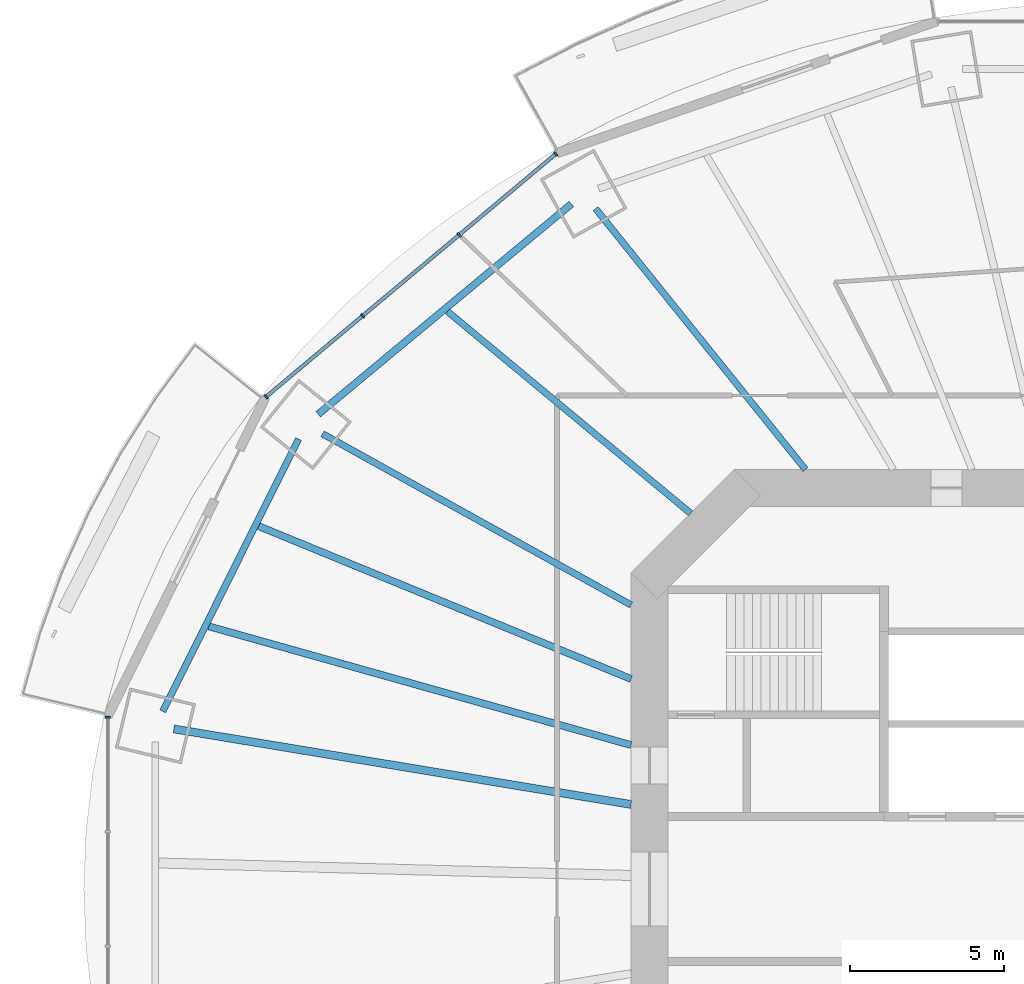
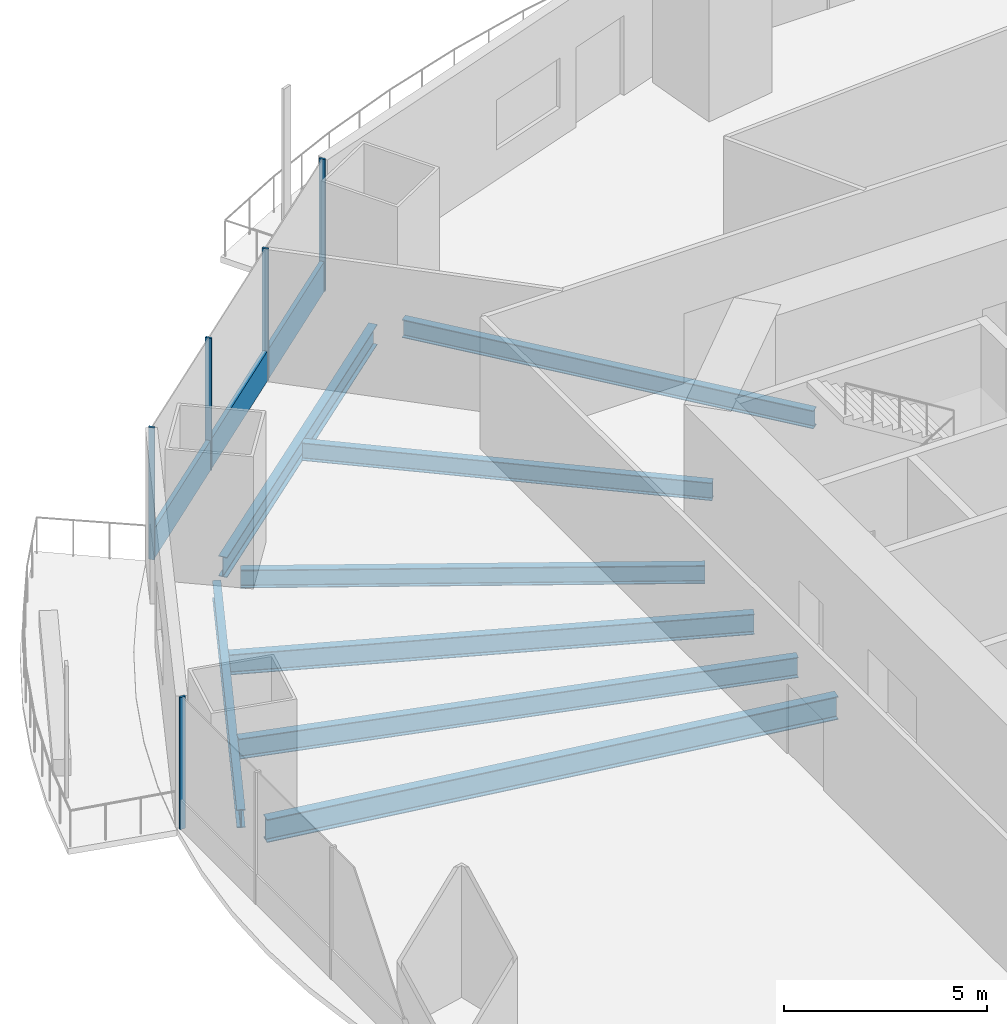
# One storey, part 6 of 22: 8 beams, 6 members, 2 elements without a shape of their own.
"""IFC4 building model written with IfcOpenShell, lengths in metres."""

import ifcopenshell
import ifcopenshell.guid

model = None  # the IFC model being written
_history = None  # IfcOwnerHistory: only IFC2X3 demands one
_inside = {}  # id of a spatial element -> (the spatial element, [elements in it])
_under = {}  # id of a project, library or spatial element -> (it, [spatial elements below it])
_declared = {}  # id of a project -> (the project, [libraries it declares])
_typed = {}  # id of a type object -> (the type object, [elements of that type])
_made_of = {}  # id of a material, layer set ... -> (it, [elements and type objects made of it])


def new_model(schema):
    """Start an empty IFC model of exactly this schema.

    Asked for "IFC4X3", IfcOpenShell would pick the latest addendum, in which some entities
    have other attributes; the version numbers below select the first issue.
    IFC2X3 requires an IfcOwnerHistory on every rooted entity: one is made here for all.
    """
    global model, _history
    if schema == "IFC4X3":
        model = ifcopenshell.file(schema_version=(4, 3, 0, 0))
    else:
        model = ifcopenshell.file(schema=schema)
    _inside.clear()
    _under.clear()
    _declared.clear()
    _typed.clear()
    _made_of.clear()
    _history = None
    if model.schema == "IFC2X3":
        org = make("IfcOrganization", Name="unknown")
        user = make(
            "IfcPersonAndOrganization",
            ThePerson=make("IfcPerson", FamilyName="unknown"),
            TheOrganization=org,
        )
        app = make(
            "IfcApplication",
            ApplicationDeveloper=org,
            Version="unknown",
            ApplicationFullName="unknown",
            ApplicationIdentifier="unknown",
        )
        _history = make(
            "IfcOwnerHistory",
            OwningUser=user,
            OwningApplication=app,
            ChangeAction="ADDED",
            CreationDate=0,
        )
    return model


def make(cls, **values):
    """One entity of the class cls with the attributes given. An attribute that is None is left unset."""
    return model.create_entity(
        cls, **{name: value for name, value in values.items() if value is not None}
    )


def rooted(cls, **values):
    """An entity with a GlobalId (a new one), such as an element, a storey or a relation."""
    return make(cls, GlobalId=ifcopenshell.guid.new(), OwnerHistory=_history, **values)


def si_unit(unit_type, name, prefix=None):
    """IfcSIUnit, for example si_unit("LENGTHUNIT", "METRE", prefix="MILLI")."""
    return make("IfcSIUnit", UnitType=unit_type, Prefix=prefix, Name=name)


def assignment(units):
    """IfcUnitAssignment: the units of a project."""
    return None if units is None else make("IfcUnitAssignment", Units=units)


def point(xyz):
    """IfcCartesianPoint."""
    return None if xyz is None else make("IfcCartesianPoint", Coordinates=xyz)


def direction(xyz):
    """IfcDirection."""
    return None if xyz is None else make("IfcDirection", DirectionRatios=xyz)


def frame(location, z_axis=None, x_axis=None):
    """IfcAxis2Placement3D, a coordinate frame: its origin and axes. An axis left out is left unset."""
    return make(
        "IfcAxis2Placement3D",
        Location=point(location),
        Axis=direction(z_axis),
        RefDirection=direction(x_axis),
    )


def frame_2d(location, x_axis=None):
    """IfcAxis2Placement2D, a coordinate frame in the plane: its origin and x axis."""
    return make(
        "IfcAxis2Placement2D", Location=point(location), RefDirection=direction(x_axis)
    )


def origin():
    """The frame at (0, 0, 0) with its axes left unset."""
    return frame((0.0, 0.0, 0.0))


def origin_2d():
    """The frame at (0, 0) in the plane with its x axis left unset."""
    return frame_2d((0.0, 0.0))


def place(relative_to, where):
    """IfcLocalPlacement: puts the frame where relative to a parent placement (None: the world)."""
    return make(
        "IfcLocalPlacement", PlacementRelTo=relative_to, RelativePlacement=where
    )


def context(
    kind, dimensions, precision=None, world=None, true_north=None, identifier=None
):
    """IfcGeometricRepresentationContext, for example the 3D "Model" context."""
    return make(
        "IfcGeometricRepresentationContext",
        ContextIdentifier=identifier,
        ContextType=kind,
        CoordinateSpaceDimension=dimensions,
        Precision=precision,
        WorldCoordinateSystem=world,
        TrueNorth=true_north,
    )


def subcontext(parent, identifier, kind, view, scale=None):
    """IfcGeometricRepresentationSubContext, for example "Body" below "Model"."""
    return make(
        "IfcGeometricRepresentationSubContext",
        ContextIdentifier=identifier,
        ContextType=kind,
        ParentContext=parent,
        TargetScale=scale,
        TargetView=view,
    )


def project(units=None, contexts=None):
    """IfcProject with its units and contexts."""
    return rooted(
        "IfcProject",
        Name="project",
        RepresentationContexts=contexts,
        UnitsInContext=assignment(units),
    )


def spatial(cls, under=None, at=None, **own):
    """A site, building, storey or space (cls), placed at a placement, below another one or the project."""
    s = rooted(cls, ObjectPlacement=at, **own)
    if under is not None:
        _under.setdefault(under.id(), (under, []))[1].append(s)
    return s


def profile(cls, at=None, kind="AREA", **sizes):
    """A parametric profile (cls). Its sizes go by their IFC names, for example OverallWidth=200.0."""
    return make(cls, ProfileType=kind, Position=at, **sizes)


def rectangle(**sizes):
    """IfcRectangleProfileDef."""
    return profile("IfcRectangleProfileDef", **sizes)


def i_section(**sizes):
    """IfcIShapeProfileDef."""
    return profile("IfcIShapeProfileDef", **sizes)


def extrude(swept, where, along, depth):
    """IfcExtrudedAreaSolid: the profile swept, set in the frame where, extruded along a direction by depth."""
    return make(
        "IfcExtrudedAreaSolid",
        SweptArea=swept,
        Position=where,
        ExtrudedDirection=direction(along),
        Depth=depth,
    )


def shape(context_of_items, identifier, shape_type, items):
    """IfcShapeRepresentation: the items that make up one representation, for example the "Body"."""
    return make(
        "IfcShapeRepresentation",
        ContextOfItems=context_of_items,
        RepresentationIdentifier=identifier,
        RepresentationType=shape_type,
        Items=items,
    )


def material(Name=None, Category=None):
    """IfcMaterial."""
    return make("IfcMaterial", Name=Name, Category=Category)


def material_profile(
    of_material, cross_section, Name=None, Category=None, Priority=None
):
    """IfcMaterialProfile: a cross section and its material."""
    return make(
        "IfcMaterialProfile",
        Name=Name,
        Material=of_material,
        Profile=cross_section,
        Priority=Priority,
        Category=Category,
    )


def profile_set(profiles, Name=None, composite=None):
    """IfcMaterialProfileSet."""
    return make(
        "IfcMaterialProfileSet",
        Name=Name,
        MaterialProfiles=profiles,
        CompositeProfile=composite,
    )


def made_of(thing, what):
    """Note that an element or type object is made of a material, layer set ...; save() writes the relation."""
    if what is not None:
        _made_of.setdefault(what.id(), (what, []))[1].append(thing)
    return thing


def type_object(cls, material=None, **own):
    """A type object (cls), such as IfcWallType, which elements share."""
    return made_of(rooted(cls, **own), material)


def element(
    cls,
    number,
    at=None,
    inside=None,
    cuts=None,
    type_object=None,
    material=None,
    context=None,
    identifier="Body",
    shape_type=None,
    held_by="IfcProductDefinitionShape",
    body=None,
    shapes=None,
    **own,
):
    """One element of the class cls, such as IfcWall. Its Tag is "e" and its number.

    at: its placement. inside: the storey or other place that contains it. cuts: it is an
    opening in that element (IfcRelVoidsElement). A single representation is given by context,
    identifier, shape_type and body (its items); several are given by shapes. held_by: the class
    of the entity that holds the representations. save() writes the other relations.
    """
    e = rooted(cls, Tag="e%d" % number, ObjectPlacement=at, **own)
    if body is not None:
        shapes = [shape(context, identifier, shape_type, body)]
    if shapes is not None:
        e.Representation = make(held_by, Representations=shapes)
    if inside is not None:
        _inside.setdefault(inside.id(), (inside, []))[1].append(e)
    if cuts is not None:
        rooted(
            "IfcRelVoidsElement", RelatingBuildingElement=cuts, RelatedOpeningElement=e
        )
    if type_object is not None:
        _typed.setdefault(type_object.id(), (type_object, []))[1].append(e)
    return made_of(e, material)


def aggregate(whole, parts):
    """IfcRelAggregates: a whole, such as a stair, and the parts it consists of."""
    return rooted("IfcRelAggregates", RelatingObject=whole, RelatedObjects=parts)


def save(model, path):
    """Write the relations noted so far, then the file.

    IfcRelAggregates (storeys below a building ...), IfcRelContainedInSpatialStructure (elements
    in a storey), IfcRelDefinesByType, IfcRelAssociatesMaterial and IfcRelDeclares: one each for
    every whole, place, type object, material and project.
    """
    for whole, parts in _under.values():
        aggregate(whole, parts)
    for where, things in _inside.values():
        rooted(
            "IfcRelContainedInSpatialStructure",
            RelatedElements=things,
            RelatingStructure=where,
        )
    for kind, things in _typed.values():
        rooted("IfcRelDefinesByType", RelatedObjects=things, RelatingType=kind)
    for what, things in _made_of.values():
        rooted("IfcRelAssociatesMaterial", RelatedObjects=things, RelatingMaterial=what)
    for by, libraries in _declared.values():
        rooted("IfcRelDeclares", RelatingContext=by, RelatedDefinitions=libraries)
    model.write(path)


model = new_model("IFC4")

# Units and contexts
model_context = context("Model", 3, precision=1e-05, world=origin(), true_north=direction((0.0, 1.0)))
body_context = subcontext(model_context, "Body", "Model", "MODEL_VIEW")
ifc_project = project(units=[si_unit("LENGTHUNIT", "METRE"), si_unit("AREAUNIT", "SQUARE_METRE"), si_unit("VOLUMEUNIT", "CUBIC_METRE"), si_unit("PLANEANGLEUNIT", "RADIAN"), si_unit("MASSUNIT", "GRAM", prefix="KILO")], contexts=[model_context])

# Site, building, storey
site_placement = place(None, origin())
site = spatial("IfcSite", under=ifc_project, at=site_placement, CompositionType="ELEMENT")
building_placement = place(site_placement, origin())
building = spatial("IfcBuilding", under=site, at=building_placement, Name="Marenthal Gate Tower", CompositionType="ELEMENT")
storey_placement = place(building_placement, frame((0.0, 0.0, 107.699951171875)))
storey = spatial("IfcBuildingStorey", under=building, at=storey_placement, Name="L22", CompositionType="ELEMENT", Elevation=107.699951171875)

# Curtain wall, members
ifc_material_1 = material(Name="Aluminium and glass", Category="aluminium")
curtain_wall_type = type_object("IfcCurtainWallType", Name="Curtain wall typical low", PredefinedType="NOTDEFINED", material=ifc_material_1)
curtain_wall_1_placement = place(storey_placement, origin())
curtain_wall_1 = element("IfcCurtainWall", 1, at=curtain_wall_1_placement, inside=storey, type_object=curtain_wall_type, Name="Curtain wall L22 bay 6", PredefinedType="NOTDEFINED")
ifc_material_2 = material(Name="Aluminium", Category="aluminium")
ifc_material_profile_1 = material_profile(ifc_material_2, rectangle(XDim=0.159912109375, YDim=0.06005859375, at=origin_2d()), Name="60x160 aluminium mullion")
ifc_profile_set_1 = profile_set([ifc_material_profile_1], Name="Aluminium")
member_type_1 = type_object("IfcMemberType", Name="Mullion 60x160 typical low", PredefinedType="MULLION", material=ifc_profile_set_1)
member_1_placement = place(storey_placement, frame((-19.037841796875, 23.833984375, 0.0), z_axis=(0.0, 0.0, 1.0), x_axis=(0.642377082487, -0.766388728972, 0.0)))
member_1 = element("IfcMember", 2, at=member_1_placement, type_object=member_type_1, Name="Mullion L22 bay 6.1", PredefinedType="MULLION", context=body_context, shape_type="SweptSolid", body=[
    extrude(rectangle(XDim=0.159912109375, YDim=0.06005859375, at=origin_2d()), origin(), (0.0, 0.0, 1.0), 3.969970703125),
])
member_2_placement = place(storey_placement, frame((-22.170166015625, 21.20849609375, 0.0), z_axis=(0.0, 0.0, 1.0), x_axis=(0.642377082487, -0.766388728972, 0.0)))
member_2 = element("IfcMember", 3, at=member_2_placement, type_object=member_type_1, Name="Mullion L22 bay 6.2", PredefinedType="MULLION", context=body_context, shape_type="SweptSolid", body=[
    extrude(rectangle(XDim=0.159912109375, YDim=0.06005859375, at=origin_2d()), origin(), (0.0, 0.0, 1.0), 3.969970703125),
])
member_3_placement = place(storey_placement, frame((-25.302490234375, 18.5830078125, 0.0), z_axis=(0.0, 0.0, 1.0), x_axis=(0.642377082487, -0.766388728972, 0.0)))
member_3 = element("IfcMember", 4, at=member_3_placement, type_object=member_type_1, Name="Mullion L22 bay 6.3", PredefinedType="MULLION", context=body_context, shape_type="SweptSolid", body=[
    extrude(rectangle(XDim=0.159912109375, YDim=0.06005859375, at=origin_2d()), origin(), (0.0, 0.0, 1.0), 3.969970703125),
])
member_4_placement = place(storey_placement, frame((-28.434814453125, 15.95751953125, 0.0), z_axis=(0.0, 0.0, 1.0), x_axis=(0.642377082487, -0.766388728972, 0.0)))
member_4 = element("IfcMember", 5, at=member_4_placement, type_object=member_type_1, Name="Mullion L22 bay 6.4", PredefinedType="MULLION", context=body_context, shape_type="SweptSolid", body=[
    extrude(rectangle(XDim=0.159912109375, YDim=0.06005859375, at=origin_2d()), origin(), (0.0, 0.0, 1.0), 3.969970703125),
])

# Curtain wall, member
curtain_wall_2_placement = place(storey_placement, origin())
curtain_wall_2 = element("IfcCurtainWall", 6, at=curtain_wall_2_placement, inside=storey, type_object=curtain_wall_type, Name="Curtain wall L22 bay 8", PredefinedType="NOTDEFINED")
member_5_placement = place(storey_placement, frame((-33.568359375, 5.56689453125, 0.0), z_axis=(0.0, 0.0, 1.0), x_axis=(1.0, 0.0, 0.0)))
member_5 = element("IfcMember", 7, at=member_5_placement, type_object=member_type_1, Name="Mullion L22 bay 8.1", PredefinedType="MULLION", context=body_context, shape_type="SweptSolid", body=[
    extrude(rectangle(XDim=0.159912109375, YDim=0.06005859375, at=origin_2d()), origin(), (0.0, 0.0, 1.0), 3.969970703125),
])
aggregate(curtain_wall_2, [member_5])

# Member
ifc_material_3 = material(Name="Aluminium", Category="aluminium")
ifc_material_profile_2 = material_profile(ifc_material_3, rectangle(XDim=0.1201171875, YDim=0.89990234375, at=origin_2d()), Name="120x900 aluminium transom")
ifc_profile_set_2 = profile_set([ifc_material_profile_2], Name="Aluminium")
member_type_2 = type_object("IfcMemberType", Name="Transom 120x900 typical low", PredefinedType="USERDEFINED", material=ifc_profile_set_2)
member_6_placement = place(storey_placement, frame((-19.060791015625, 23.814697265625, 0.449951171875), z_axis=(-0.766391084467, -0.64237427225, 0.0), x_axis=(0.64237427225, -0.766391084467, 0.0)))
member_6 = element("IfcMember", 8, at=member_6_placement, type_object=member_type_2, Name="Transom L22 bay 6", ObjectType="TRANSOM", PredefinedType="USERDEFINED", context=body_context, shape_type="SweptSolid", body=[
    extrude(rectangle(XDim=0.1201171875, YDim=0.89990234375, at=origin_2d()), origin(), (0.0, 0.0, 1.0), 12.201416015625),
])

aggregate(curtain_wall_1, [member_1, member_2, member_3, member_4, member_6])

# Beams
ifc_material_4 = material(Name="Steel S355", Category="steel")
ifc_material_profile_3 = material_profile(ifc_material_4, i_section(OverallWidth=0.2099609375, OverallDepth=0.535888671875, WebThickness=0.010986328125, FlangeThickness=0.017333984375, FilletRadius=0.0126953125, at=origin_2d()), Name="W530X101")
ifc_profile_set_3 = profile_set([ifc_material_profile_3], Name="Steel S355")
beam_type_1 = type_object("IfcBeamType", Name="W530X101 beam", PredefinedType="BEAM", material=ifc_profile_set_3)
beam_1_placement = place(storey_placement, frame((-22.551025390625, 18.7255859375, -0.447998046875), z_axis=(0.769343150929, -0.638835750501, 0.0), x_axis=(0.638835750501, 0.769343150929, 0.0)))
element("IfcBeam", 9, at=beam_1_placement, inside=storey, type_object=beam_type_1, Name="BM-L22-25", PredefinedType="BEAM", context=body_context, shape_type="SweptSolid", body=[
    extrude(i_section(OverallWidth=0.2099609375, OverallDepth=0.535888671875, WebThickness=0.010986328125, FlangeThickness=0.017333984375, FilletRadius=0.0126953125, at=origin_2d()), origin(), (0.0, 0.0, 1.0), 10.245849609375),
])
ifc_material_5 = material(Name="Steel S355", Category="steel")
ifc_material_profile_4 = material_profile(ifc_material_5, i_section(OverallWidth=0.2119140625, OverallDepth=0.5439453125, WebThickness=0.01318359375, FlangeThickness=0.021240234375, FilletRadius=0.0126953125, at=origin_2d()), Name="W530X123")
ifc_profile_set_4 = profile_set([ifc_material_profile_4], Name="Steel S355")
beam_type_2 = type_object("IfcBeamType", Name="W530X123 beam", PredefinedType="BEAM", material=ifc_profile_set_4)
beam_2_placement = place(storey_placement, frame((-17.750732421875, 22.059326171875, -0.451904296875), z_axis=(0.626924535124, -0.779079987716, 0.0), x_axis=(0.779079987716, 0.626924535124, 0.0)))
element("IfcBeam", 10, at=beam_2_placement, inside=storey, type_object=beam_type_2, Name="BM-L22-06", PredefinedType="BEAM", context=body_context, shape_type="SweptSolid", body=[
    extrude(i_section(OverallWidth=0.2119140625, OverallDepth=0.5439453125, WebThickness=0.01318359375, FlangeThickness=0.021240234375, FilletRadius=0.0126953125, at=origin_2d()), origin(), (0.0, 0.0, 1.0), 10.85791015625),
])
beam_3_placement = place(storey_placement, frame((-26.605224609375, 14.761474609375, -0.451904296875), z_axis=(0.87442184895, -0.485166394218, 0.0), x_axis=(0.485166394218, 0.87442184895, 0.0)))
element("IfcBeam", 11, at=beam_3_placement, inside=storey, type_object=beam_type_2, Name="BM-L22-07", PredefinedType="BEAM", context=body_context, shape_type="SweptSolid", body=[
    extrude(i_section(OverallWidth=0.2119140625, OverallDepth=0.5439453125, WebThickness=0.01318359375, FlangeThickness=0.021240234375, FilletRadius=0.0126953125, at=origin_2d()), origin(), (0.0, 0.0, 1.0), 11.44189453125),
])
beam_4_placement = place(storey_placement, frame((-27.3779296875, 14.591796875, -0.451904296875), z_axis=(-0.446372399163, -0.894847294942, 0.0), x_axis=(0.894847294942, -0.446372399163, 0.0)))
element("IfcBeam", 12, at=beam_4_placement, inside=storey, type_object=beam_type_2, Name="BM-L22-47", PredefinedType="BEAM", context=body_context, shape_type="SweptSolid", body=[
    extrude(i_section(OverallWidth=0.2119140625, OverallDepth=0.5439453125, WebThickness=0.01318359375, FlangeThickness=0.021240234375, FilletRadius=0.0126953125, at=origin_2d()), origin(), (0.0, 0.0, 1.0), 9.8701171875),
])
ifc_material_6 = material(Name="Steel S355", Category="steel")
ifc_material_profile_5 = material_profile(ifc_material_6, i_section(OverallWidth=0.22900390625, OverallDepth=0.612060546875, WebThickness=0.011962890625, FlangeThickness=0.01953125, FilletRadius=0.0126953125, at=origin_2d()), Name="W610X125")
ifc_profile_set_5 = profile_set([ifc_material_profile_5], Name="Steel S355")
beam_type_3 = type_object("IfcBeamType", Name="W610X125 beam", PredefinedType="BEAM", material=ifc_profile_set_5)
beam_5_placement = place(storey_placement, frame((-28.670654296875, 11.7626953125, -0.48583984375), z_axis=(0.925165248612, -0.379564569949, 0.0), x_axis=(0.379564569949, 0.925165248612, 0.0)))
element("IfcBeam", 13, at=beam_5_placement, inside=storey, type_object=beam_type_3, Name="BM-L22-26", PredefinedType="BEAM", context=body_context, shape_type="SweptSolid", body=[
    extrude(i_section(OverallWidth=0.22900390625, OverallDepth=0.612060546875, WebThickness=0.011962890625, FlangeThickness=0.01953125, FilletRadius=0.0126953125, at=origin_2d()), origin(), (0.0, 0.0, 1.0), 13.046875),
])
beam_6_placement = place(storey_placement, frame((-30.2900390625, 8.5166015625, -0.48583984375), z_axis=(0.962672470775, -0.270669011917, 0.0), x_axis=(0.270669011917, 0.962672470775, 0.0)))
element("IfcBeam", 14, at=beam_6_placement, inside=storey, type_object=beam_type_3, Name="BM-L22-27", PredefinedType="BEAM", context=body_context, shape_type="SweptSolid", body=[
    extrude(i_section(OverallWidth=0.22900390625, OverallDepth=0.612060546875, WebThickness=0.011962890625, FlangeThickness=0.01953125, FilletRadius=0.0126953125, at=origin_2d()), origin(), (0.0, 0.0, 1.0), 14.220703125),
])
beam_7_placement = place(storey_placement, frame((-18.535400390625, 22.208740234375, -0.48583984375), z_axis=(-0.769349195684, -0.638828470796, 0.0), x_axis=(0.638828470796, -0.769349195684, 0.0)))
element("IfcBeam", 15, at=beam_7_placement, inside=storey, type_object=beam_type_3, Name="BM-L22-46", PredefinedType="BEAM", context=body_context, shape_type="SweptSolid", body=[
    extrude(i_section(OverallWidth=0.22900390625, OverallDepth=0.612060546875, WebThickness=0.011962890625, FlangeThickness=0.01953125, FilletRadius=0.0126953125, at=origin_2d()), origin(), (0.0, 0.0, 1.0), 10.66943359375),
])
ifc_material_7 = material(Name="Steel S355", Category="steel")
ifc_material_profile_6 = material_profile(ifc_material_7, i_section(OverallWidth=0.257080078125, OverallDepth=0.693115234375, WebThickness=0.014404296875, FlangeThickness=0.023681640625, FilletRadius=0.015380859375, at=origin_2d()), Name="W690X170")
ifc_profile_set_6 = profile_set([ifc_material_profile_6], Name="Steel S355")
beam_type_4 = type_object("IfcBeamType", Name="W690X170 beam", PredefinedType="BEAM", material=ifc_profile_set_6)
beam_8_placement = place(storey_placement, frame((-31.423828125, 5.190185546875, -0.5263671875), z_axis=(0.986631792526, -0.162965352074, 0.0), x_axis=(0.162965352074, 0.986631792526, 0.0)))
element("IfcBeam", 16, at=beam_8_placement, inside=storey, type_object=beam_type_4, Name="BM-L22-08", PredefinedType="BEAM", context=body_context, shape_type="SweptSolid", body=[
    extrude(i_section(OverallWidth=0.257080078125, OverallDepth=0.693115234375, WebThickness=0.014404296875, FlangeThickness=0.023681640625, FilletRadius=0.015380859375, at=origin_2d()), origin(), (0.0, 0.0, 1.0), 15.024658203125),
])

save(model, "model.ifc")
